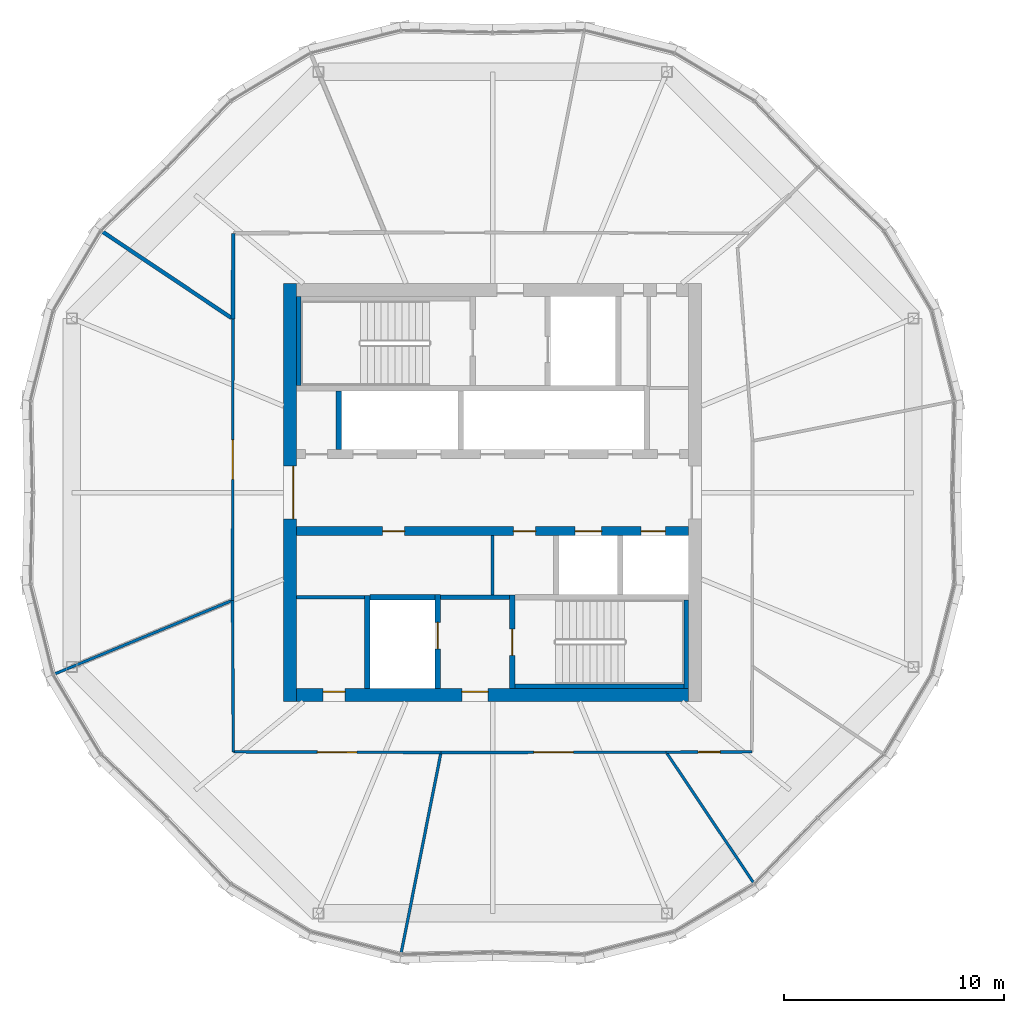
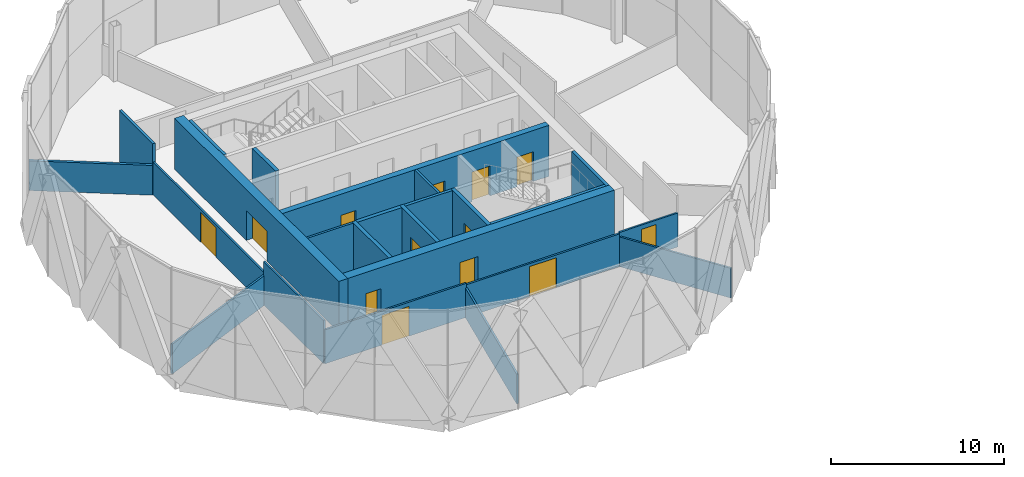
# One storey, part 18 of 26: 24 walls, 13 doors, 13 openings.
"""IFC4 building model written with IfcOpenShell, lengths in metres."""

import ifcopenshell
import ifcopenshell.guid

model = None  # the IFC model being written
_history = None  # IfcOwnerHistory: only IFC2X3 demands one
_inside = {}  # id of a spatial element -> (the spatial element, [elements in it])
_under = {}  # id of a project, library or spatial element -> (it, [spatial elements below it])
_declared = {}  # id of a project -> (the project, [libraries it declares])
_typed = {}  # id of a type object -> (the type object, [elements of that type])
_made_of = {}  # id of a material, layer set ... -> (it, [elements and type objects made of it])


def new_model(schema):
    """Start an empty IFC model of exactly this schema.

    Asked for "IFC4X3", IfcOpenShell would pick the latest addendum, in which some entities
    have other attributes; the version numbers below select the first issue.
    IFC2X3 requires an IfcOwnerHistory on every rooted entity: one is made here for all.
    """
    global model, _history
    if schema == "IFC4X3":
        model = ifcopenshell.file(schema_version=(4, 3, 0, 0))
    else:
        model = ifcopenshell.file(schema=schema)
    _inside.clear()
    _under.clear()
    _declared.clear()
    _typed.clear()
    _made_of.clear()
    _history = None
    if model.schema == "IFC2X3":
        org = make("IfcOrganization", Name="unknown")
        user = make(
            "IfcPersonAndOrganization",
            ThePerson=make("IfcPerson", FamilyName="unknown"),
            TheOrganization=org,
        )
        app = make(
            "IfcApplication",
            ApplicationDeveloper=org,
            Version="unknown",
            ApplicationFullName="unknown",
            ApplicationIdentifier="unknown",
        )
        _history = make(
            "IfcOwnerHistory",
            OwningUser=user,
            OwningApplication=app,
            ChangeAction="ADDED",
            CreationDate=0,
        )
    return model


def make(cls, **values):
    """One entity of the class cls with the attributes given. An attribute that is None is left unset."""
    return model.create_entity(
        cls, **{name: value for name, value in values.items() if value is not None}
    )


def rooted(cls, **values):
    """An entity with a GlobalId (a new one), such as an element, a storey or a relation."""
    return make(cls, GlobalId=ifcopenshell.guid.new(), OwnerHistory=_history, **values)


def si_unit(unit_type, name, prefix=None):
    """IfcSIUnit, for example si_unit("LENGTHUNIT", "METRE", prefix="MILLI")."""
    return make("IfcSIUnit", UnitType=unit_type, Prefix=prefix, Name=name)


def assignment(units):
    """IfcUnitAssignment: the units of a project."""
    return None if units is None else make("IfcUnitAssignment", Units=units)


def point(xyz):
    """IfcCartesianPoint."""
    return None if xyz is None else make("IfcCartesianPoint", Coordinates=xyz)


def direction(xyz):
    """IfcDirection."""
    return None if xyz is None else make("IfcDirection", DirectionRatios=xyz)


def frame(location, z_axis=None, x_axis=None):
    """IfcAxis2Placement3D, a coordinate frame: its origin and axes. An axis left out is left unset."""
    return make(
        "IfcAxis2Placement3D",
        Location=point(location),
        Axis=direction(z_axis),
        RefDirection=direction(x_axis),
    )


def frame_2d(location, x_axis=None):
    """IfcAxis2Placement2D, a coordinate frame in the plane: its origin and x axis."""
    return make(
        "IfcAxis2Placement2D", Location=point(location), RefDirection=direction(x_axis)
    )


def origin():
    """The frame at (0, 0, 0) with its axes left unset."""
    return frame((0.0, 0.0, 0.0))


def place(relative_to, where):
    """IfcLocalPlacement: puts the frame where relative to a parent placement (None: the world)."""
    return make(
        "IfcLocalPlacement", PlacementRelTo=relative_to, RelativePlacement=where
    )


def context(
    kind, dimensions, precision=None, world=None, true_north=None, identifier=None
):
    """IfcGeometricRepresentationContext, for example the 3D "Model" context."""
    return make(
        "IfcGeometricRepresentationContext",
        ContextIdentifier=identifier,
        ContextType=kind,
        CoordinateSpaceDimension=dimensions,
        Precision=precision,
        WorldCoordinateSystem=world,
        TrueNorth=true_north,
    )


def subcontext(parent, identifier, kind, view, scale=None):
    """IfcGeometricRepresentationSubContext, for example "Body" below "Model"."""
    return make(
        "IfcGeometricRepresentationSubContext",
        ContextIdentifier=identifier,
        ContextType=kind,
        ParentContext=parent,
        TargetScale=scale,
        TargetView=view,
    )


def project(units=None, contexts=None):
    """IfcProject with its units and contexts."""
    return rooted(
        "IfcProject",
        Name="project",
        RepresentationContexts=contexts,
        UnitsInContext=assignment(units),
    )


def spatial(cls, under=None, at=None, **own):
    """A site, building, storey or space (cls), placed at a placement, below another one or the project."""
    s = rooted(cls, ObjectPlacement=at, **own)
    if under is not None:
        _under.setdefault(under.id(), (under, []))[1].append(s)
    return s


def profile(cls, at=None, kind="AREA", **sizes):
    """A parametric profile (cls). Its sizes go by their IFC names, for example OverallWidth=200.0."""
    return make(cls, ProfileType=kind, Position=at, **sizes)


def rectangle(**sizes):
    """IfcRectangleProfileDef."""
    return profile("IfcRectangleProfileDef", **sizes)


def extrude(swept, where, along, depth):
    """IfcExtrudedAreaSolid: the profile swept, set in the frame where, extruded along a direction by depth."""
    return make(
        "IfcExtrudedAreaSolid",
        SweptArea=swept,
        Position=where,
        ExtrudedDirection=direction(along),
        Depth=depth,
    )


def shape(context_of_items, identifier, shape_type, items):
    """IfcShapeRepresentation: the items that make up one representation, for example the "Body"."""
    return make(
        "IfcShapeRepresentation",
        ContextOfItems=context_of_items,
        RepresentationIdentifier=identifier,
        RepresentationType=shape_type,
        Items=items,
    )


def material(Name=None, Category=None):
    """IfcMaterial."""
    return make("IfcMaterial", Name=Name, Category=Category)


def layer(
    of_material, thickness, ventilated=None, Name=None, Category=None, Priority=None
):
    """IfcMaterialLayer: one layer of a wall or slab, of a material (None: an air gap)."""
    return make(
        "IfcMaterialLayer",
        Material=of_material,
        LayerThickness=thickness,
        IsVentilated=ventilated,
        Name=Name,
        Category=Category,
        Priority=Priority,
    )


def layer_set(layers, Name=None):
    """IfcMaterialLayerSet."""
    return make("IfcMaterialLayerSet", MaterialLayers=layers, LayerSetName=Name)


def made_of(thing, what):
    """Note that an element or type object is made of a material, layer set ...; save() writes the relation."""
    if what is not None:
        _made_of.setdefault(what.id(), (what, []))[1].append(thing)
    return thing


def type_object(cls, material=None, **own):
    """A type object (cls), such as IfcWallType, which elements share."""
    return made_of(rooted(cls, **own), material)


def element(
    cls,
    number,
    at=None,
    inside=None,
    cuts=None,
    type_object=None,
    material=None,
    context=None,
    identifier="Body",
    shape_type=None,
    held_by="IfcProductDefinitionShape",
    body=None,
    shapes=None,
    **own,
):
    """One element of the class cls, such as IfcWall. Its Tag is "e" and its number.

    at: its placement. inside: the storey or other place that contains it. cuts: it is an
    opening in that element (IfcRelVoidsElement). A single representation is given by context,
    identifier, shape_type and body (its items); several are given by shapes. held_by: the class
    of the entity that holds the representations. save() writes the other relations.
    """
    e = rooted(cls, Tag="e%d" % number, ObjectPlacement=at, **own)
    if body is not None:
        shapes = [shape(context, identifier, shape_type, body)]
    if shapes is not None:
        e.Representation = make(held_by, Representations=shapes)
    if inside is not None:
        _inside.setdefault(inside.id(), (inside, []))[1].append(e)
    if cuts is not None:
        rooted(
            "IfcRelVoidsElement", RelatingBuildingElement=cuts, RelatedOpeningElement=e
        )
    if type_object is not None:
        _typed.setdefault(type_object.id(), (type_object, []))[1].append(e)
    return made_of(e, material)


def fill(opening, filler):
    """IfcRelFillsElement: the door or window that sits in an opening."""
    return rooted(
        "IfcRelFillsElement",
        RelatingOpeningElement=opening,
        RelatedBuildingElement=filler,
    )


def aggregate(whole, parts):
    """IfcRelAggregates: a whole, such as a stair, and the parts it consists of."""
    return rooted("IfcRelAggregates", RelatingObject=whole, RelatedObjects=parts)


def save(model, path):
    """Write the relations noted so far, then the file.

    IfcRelAggregates (storeys below a building ...), IfcRelContainedInSpatialStructure (elements
    in a storey), IfcRelDefinesByType, IfcRelAssociatesMaterial and IfcRelDeclares: one each for
    every whole, place, type object, material and project.
    """
    for whole, parts in _under.values():
        aggregate(whole, parts)
    for where, things in _inside.values():
        rooted(
            "IfcRelContainedInSpatialStructure",
            RelatedElements=things,
            RelatingStructure=where,
        )
    for kind, things in _typed.values():
        rooted("IfcRelDefinesByType", RelatedObjects=things, RelatingType=kind)
    for what, things in _made_of.values():
        rooted("IfcRelAssociatesMaterial", RelatedObjects=things, RelatingMaterial=what)
    for by, libraries in _declared.values():
        rooted("IfcRelDeclares", RelatingContext=by, RelatedDefinitions=libraries)
    model.write(path)


model = new_model("IFC4")

# Units and contexts
model_context = context("Model", 3, precision=1e-05, world=origin(), true_north=direction((0.0, 1.0)))
body_context = subcontext(model_context, "Body", "Model", "MODEL_VIEW")
ifc_project = project(units=[si_unit("LENGTHUNIT", "METRE"), si_unit("AREAUNIT", "SQUARE_METRE"), si_unit("VOLUMEUNIT", "CUBIC_METRE"), si_unit("PLANEANGLEUNIT", "RADIAN"), si_unit("MASSUNIT", "GRAM", prefix="KILO")], contexts=[model_context])

# Site, building, storey
site_placement = place(None, origin())
site = spatial("IfcSite", under=ifc_project, at=site_placement, CompositionType="ELEMENT")
building_placement = place(site_placement, origin())
building = spatial("IfcBuilding", under=site, at=building_placement, Name="Ogive Gate Towers", CompositionType="ELEMENT")
storey_placement = place(building_placement, frame((0.0, 0.0, 208.5)))
storey = spatial("IfcBuildingStorey", under=building, at=storey_placement, Name="L50", CompositionType="ELEMENT", Elevation=208.5)

# Walls
ifc_material_1 = material(Name="Gypsum board acoustic partition")
ifc_layer_1 = layer(ifc_material_1, 0.175048828125)
ifc_layer_set_1 = layer_set([ifc_layer_1], Name="Acoustic partition 175")
wall_type_1 = type_object("IfcWallType", Name="Acoustic partition 175", PredefinedType="PARTITIONING", material=ifc_layer_set_1)
wall_1_placement = place(storey_placement, frame((-53.81103515625, 11.9111328125, 0.0), z_axis=(0.0, 0.0, 1.0), x_axis=(0.831240288345, -0.555913287332, 0.0)))
element("IfcWall", 1, at=wall_1_placement, inside=storey, type_object=wall_type_1, Name="Partition T1-L50-005", PredefinedType="PARTITIONING", context=body_context, shape_type="SweptSolid", body=[
    extrude(rectangle(XDim=7.14892578125, YDim=0.175048828125, at=frame_2d((3.574462890625, 0.0))), origin(), (0.0, 0.0, 1.0), 2.10009765625),
])
wall_2_placement = place(storey_placement, frame((-47.780029296875, 11.780029296875, 0.0), z_axis=(0.0, 0.0, 1.0), x_axis=(-0.004077757816, -0.999991685911, 0.0)))
element("IfcWall", 2, at=wall_2_placement, inside=storey, type_object=wall_type_1, Name="Partition T1-L50-015", PredefinedType="PARTITIONING", context=body_context, shape_type="SweptSolid", body=[
    extrude(rectangle(XDim=3.8916015625, YDim=0.175048828125, at=frame_2d((1.94580078125, 0.0))), origin(), (0.0, 0.0, 1.0), 3.60009765625),
])
ifc_material_2 = material(Name="Masonry blockwork", Category="masonry")
ifc_layer_2 = layer(ifc_material_2, 0.199951171875)
ifc_layer_set_2 = layer_set([ifc_layer_2], Name="Blockwork wall 200 mm")
wall_type_2 = type_object("IfcWallType", Name="Blockwork wall 200 mm", PredefinedType="PARTITIONING", material=ifc_layer_set_2)
wall_3_placement = place(storey_placement, frame((-38.375, -4.75, 0.0), z_axis=(0.0, 0.0, 1.0), x_axis=(1.0, 0.0, 0.0)))
element("IfcWall", 3, at=wall_3_placement, inside=storey, type_object=wall_type_2, Name="T1 L50 Blockwork wall 200 mm", PredefinedType="PARTITIONING", context=body_context, shape_type="SweptSolid", body=[
    extrude(rectangle(XDim=3.14990234375, YDim=0.199951171875, at=frame_2d((1.574951171875, 0.0))), origin(), (0.0, 0.0, 1.0), 3.60009765625),
])

# Wall, openings, doors
ifc_material_3 = material(Name="Concrete C60/75", Category="concrete")
ifc_layer_3 = layer(ifc_material_3, 0.60009765625)
ifc_layer_set_3 = layer_set([ifc_layer_3], Name="Core wall 600 mm")
wall_type_3 = type_object("IfcWallType", Name="Core wall 600 mm", PredefinedType="SHEAR", material=ifc_layer_set_3)
wall_4_placement = place(storey_placement, frame((-44.89990234375, -9.199951171875, 0.0), z_axis=(0.0, 0.0, 1.0), x_axis=(1.0, 0.0, 0.0)))
wall_4 = element("IfcWall", 4, at=wall_4_placement, inside=storey, type_object=wall_type_3, Name="T1 L50 Core wall 600 mm", PredefinedType="SHEAR", context=body_context, shape_type="SweptSolid", body=[
    extrude(rectangle(XDim=17.7998046875, YDim=0.60009765625, at=frame_2d((8.89990234375, 0.0))), origin(), (0.0, 0.0, 1.0), 3.60009765625),
])
opening_1_placement = place(wall_4_placement, frame((7.5, 0.0, 0.0)))
opening_1 = element("IfcOpeningElement", 5, at=opening_1_placement, cuts=wall_4, Name="Opening KD-T1-L50-19", PredefinedType="OPENING", context=body_context, shape_type="SweptSolid", body=[
    extrude(rectangle(XDim=1.199951171875, YDim=2.10009765625, at=frame_2d((0.60009765625, 1.050048828125))), frame((0.0, 0.31005859375, 0.0), z_axis=(0.0, -1.0, 0.0), x_axis=(1.0, 0.0, 0.0)), (0.0, 0.0, 1.0), 0.6201171875),
])
opening_2_placement = place(wall_4_placement, frame((1.199951171875, 0.0, 0.0)))
opening_2 = element("IfcOpeningElement", 6, at=opening_2_placement, cuts=wall_4, Name="Opening KD-T1-L50-22", PredefinedType="OPENING", context=body_context, shape_type="SweptSolid", body=[
    extrude(rectangle(XDim=1.0, YDim=2.10009765625, at=frame_2d((0.5, 1.050048828125))), frame((0.0, 0.31005859375, 0.0), z_axis=(0.0, -1.0, 0.0), x_axis=(1.0, 0.0, 0.0)), (0.0, 0.0, 1.0), 0.6201171875),
])
ifc_material_4 = material(Name="Timber door", Category="wood")
door_type_1 = type_object("IfcDoorType", Name="Accessible WC door 1000 x 2100", OperationType="NOTDEFINED", PredefinedType="DOOR", material=ifc_material_4)
door_1_placement = place(opening_2_placement, origin())
door_1 = element("IfcDoor", 7, at=door_1_placement, inside=storey, type_object=door_type_1, Name="T1 L50 Core door", OperationType="SINGLE_SWING_LEFT", OverallHeight=2.10009765625, OverallWidth=1.0, PredefinedType="DOOR", context=body_context, shape_type="SweptSolid", body=[
    extrude(rectangle(XDim=1.0, YDim=2.10009765625, at=frame_2d((0.5, 1.050048828125))), frame((0.0, 0.1748046875, 0.0), z_axis=(0.0, -1.0, 0.0), x_axis=(1.0, 0.0, 0.0)), (0.0, 0.0, 1.0), 0.050048828125),
])
fill(opening_2, door_1)
ifc_material_5 = material(Name="Steel fire door", Category="steel")
door_type_2 = type_object("IfcDoorType", Name="Core door FD60S 1200 x 2100", OperationType="NOTDEFINED", PredefinedType="DOOR", material=ifc_material_5)
door_2_placement = place(opening_1_placement, origin())
door_2 = element("IfcDoor", 8, at=door_2_placement, inside=storey, type_object=door_type_2, Name="T1 L50 Fire-fighting lobby door", OperationType="SINGLE_SWING_RIGHT", OverallHeight=2.10009765625, OverallWidth=1.199951171875, PredefinedType="DOOR", context=body_context, shape_type="SweptSolid", body=[
    extrude(rectangle(XDim=1.199951171875, YDim=2.10009765625, at=frame_2d((0.60009765625, 1.050048828125))), frame((0.0, 0.1748046875, 0.0), z_axis=(0.0, -1.0, 0.0), x_axis=(1.0, 0.0, 0.0)), (0.0, 0.0, 1.0), 0.050048828125),
])
fill(opening_1, door_2)

# Wall, opening, door
wall_5_placement = place(storey_placement, frame((-45.199951171875, -9.5, 0.0), z_axis=(0.0, 0.0, 1.0), x_axis=(0.0, 1.0, 0.0)))
wall_5 = element("IfcWall", 9, at=wall_5_placement, inside=storey, type_object=wall_type_3, Name="T1 L50 Core wall 600 mm", PredefinedType="SHEAR", context=body_context, shape_type="SweptSolid", body=[
    extrude(rectangle(XDim=19.0, YDim=0.60009765625, at=frame_2d((9.5, 0.0))), origin(), (0.0, 0.0, 1.0), 3.60009765625),
])
opening_3_placement = place(wall_5_placement, frame((8.300048828125, 0.0, 0.0)))
opening_3 = element("IfcOpeningElement", 10, at=opening_3_placement, cuts=wall_5, Name="Opening KD-T1-L50-01", PredefinedType="OPENING", context=body_context, shape_type="SweptSolid", body=[
    extrude(rectangle(XDim=2.39990234375, YDim=2.10009765625, at=frame_2d((1.199951171875, 1.050048828125))), frame((0.0, 0.31005859375, 0.0), z_axis=(0.0, -1.0, 0.0), x_axis=(1.0, 0.0, 0.0)), (0.0, 0.0, 1.0), 0.6201171875),
])
door_type_3 = type_object("IfcDoorType", Name="Core double door FD60S 2400 x 2100", OperationType="DOUBLE_DOOR_SINGLE_SWING", PredefinedType="DOOR", material=ifc_material_5)
door_3_placement = place(opening_3_placement, origin())
door_3 = element("IfcDoor", 11, at=door_3_placement, inside=storey, type_object=door_type_3, Name="T1 L50 Core door double", OperationType="DOUBLE_DOOR_SINGLE_SWING", OverallHeight=2.10009765625, OverallWidth=2.39990234375, PredefinedType="DOOR", context=body_context, shape_type="SweptSolid", body=[
    extrude(rectangle(XDim=2.39990234375, YDim=2.10009765625, at=frame_2d((1.199951171875, 1.050048828125))), frame((0.0, -0.125, 0.0), z_axis=(0.0, -1.0, 0.0), x_axis=(1.0, 0.0, 0.0)), (0.0, 0.0, 1.0), 0.050048828125),
])
fill(opening_3, door_3)

# Walls
ifc_material_6 = material(Name="Gypsum board partition")
ifc_layer_4 = layer(ifc_material_6, 0.125)
ifc_layer_set_4 = layer_set([ifc_layer_4], Name="Partition 125")
wall_type_4 = type_object("IfcWallType", Name="Partition 125", PredefinedType="PARTITIONING", material=ifc_layer_set_4)
wall_6_placement = place(storey_placement, frame((-55.949462890625, -8.263427734375, 0.0), z_axis=(0.0, 0.0, 1.0), x_axis=(0.923878257775, 0.382686509835, 0.0)))
element("IfcWall", 12, at=wall_6_placement, inside=storey, type_object=wall_type_4, Name="Partition T1-L50-006", PredefinedType="PARTITIONING", context=body_context, shape_type="SweptSolid", body=[
    extrude(rectangle(XDim=8.739501953125, YDim=0.125, at=frame_2d((4.36962890625, 0.0))), origin(), (0.0, 0.0, 1.0), 2.10009765625),
])
wall_7_placement = place(storey_placement, frame((-40.147216796875, -20.891845703125, 0.0), z_axis=(0.0, 0.0, 1.0), x_axis=(0.194722219727, 0.980858428696, 0.0)))
element("IfcWall", 13, at=wall_7_placement, inside=storey, type_object=wall_type_4, Name="Partition T1-L50-007", PredefinedType="PARTITIONING", context=body_context, shape_type="SweptSolid", body=[
    extrude(rectangle(XDim=9.196533203125, YDim=0.125, at=frame_2d((4.59814453125, 0.0))), origin(), (0.0, 0.0, 1.0), 2.10009765625),
])
wall_8_placement = place(storey_placement, frame((-24.0888671875, -17.81103515625, 0.0), z_axis=(0.0, 0.0, 1.0), x_axis=(-0.555916910213, 0.831237865439, 0.0)))
element("IfcWall", 14, at=wall_8_placement, inside=storey, type_object=wall_type_4, Name="Partition T1-L50-008", PredefinedType="PARTITIONING", context=body_context, shape_type="SweptSolid", body=[
    extrude(rectangle(XDim=7.173828125, YDim=0.125, at=frame_2d((3.5869140625, 0.0))), origin(), (0.0, 0.0, 1.0), 2.10009765625),
])

# Wall, opening, door
wall_9_placement = place(storey_placement, frame((-47.7958984375, 7.888427734375, 0.0), z_axis=(0.0, 0.0, 1.0), x_axis=(-0.001680637798, -0.999998587727, 0.0)))
wall_9 = element("IfcWall", 15, at=wall_9_placement, inside=storey, type_object=wall_type_4, Name="Partition T1-L50-016", PredefinedType="PARTITIONING", context=body_context, shape_type="SweptSolid", body=[
    extrude(rectangle(XDim=12.783447265625, YDim=0.125, at=frame_2d((6.3916015625, 0.0))), origin(), (0.0, 0.0, 1.0), 2.300048828125),
])
opening_4_placement = place(wall_9_placement, frame((5.491943359375, 0.0, 0.0)))
opening_4 = element("IfcOpeningElement", 16, at=opening_4_placement, cuts=wall_9, Name="Opening T1-L50-D06", PredefinedType="OPENING", context=body_context, shape_type="SweptSolid", body=[
    extrude(rectangle(XDim=1.800048828125, YDim=2.10009765625, at=frame_2d((0.89990234375, 1.050048828125))), frame((0.0, 0.072509765625, 0.0), z_axis=(0.0, -1.0, 0.0), x_axis=(1.0, 0.0, 0.0)), (0.0, 0.0, 1.0), 0.14501953125),
])
door_type_4 = type_object("IfcDoorType", Name="Door pair 1800", OperationType="NOTDEFINED", PredefinedType="DOOR", material=ifc_material_4)
door_4_placement = place(opening_4_placement, origin())
door_4 = element("IfcDoor", 17, at=door_4_placement, inside=storey, type_object=door_type_4, Name="Door T1-L50-D06", OperationType="DOUBLE_DOOR_DOUBLE_SWING", OverallHeight=2.10009765625, OverallWidth=1.800048828125, PredefinedType="DOOR", context=body_context, shape_type="SweptSolid", body=[
    extrude(rectangle(XDim=1.800048828125, YDim=2.10009765625, at=frame_2d((0.89990234375, 1.050048828125))), frame((0.0, 0.02490234375, 0.0), z_axis=(0.0, -1.0, 0.0), x_axis=(1.0, 0.0, 0.0)), (0.0, 0.0, 1.0), 0.050048828125),
])
fill(opening_4, door_4)

wall_10_placement = place(storey_placement, frame((-47.780029296875, -11.780029296875, 0.0), z_axis=(0.0, 0.0, 1.0), x_axis=(0.99999493566, -0.003182554779, 0.0)))
wall_10 = element("IfcWall", 18, at=wall_10_placement, inside=storey, type_object=wall_type_4, Name="Partition T1-L50-017", PredefinedType="PARTITIONING", context=body_context, shape_type="SweptSolid", body=[
    extrude(rectangle(XDim=9.435546875, YDim=0.125, at=frame_2d((4.7177734375, 0.0))), origin(), (0.0, 0.0, 1.0), 2.39990234375),
])
opening_5_placement = place(wall_10_placement, frame((3.818115234375, 0.0, 0.0)))
opening_5 = element("IfcOpeningElement", 19, at=opening_5_placement, cuts=wall_10, Name="Opening T1-L50-D07", PredefinedType="OPENING", context=body_context, shape_type="SweptSolid", body=[
    extrude(rectangle(XDim=1.800048828125, YDim=2.10009765625, at=frame_2d((0.89990234375, 1.050048828125))), frame((0.0, 0.072509765625, 0.0), z_axis=(0.0, -1.0, 0.0), x_axis=(1.0, 0.0, 0.0)), (0.0, 0.0, 1.0), 0.14501953125),
])
door_5_placement = place(opening_5_placement, origin())
door_5 = element("IfcDoor", 20, at=door_5_placement, inside=storey, type_object=door_type_4, Name="Door T1-L50-D07", OperationType="DOUBLE_DOOR_DOUBLE_SWING", OverallHeight=2.10009765625, OverallWidth=1.800048828125, PredefinedType="DOOR", context=body_context, shape_type="SweptSolid", body=[
    extrude(rectangle(XDim=1.800048828125, YDim=2.10009765625, at=frame_2d((0.89990234375, 1.050048828125))), frame((0.0, 0.02490234375, 0.0), z_axis=(0.0, -1.0, 0.0), x_axis=(1.0, 0.0, 0.0)), (0.0, 0.0, 1.0), 0.050048828125),
])
fill(opening_5, door_5)

# Wall
wall_11_placement = place(storey_placement, frame((-47.8173828125, -4.89501953125, 0.0), z_axis=(0.0, 0.0, 1.0), x_axis=(0.005425259683, -0.99998528317, 0.0)))
element("IfcWall", 21, at=wall_11_placement, inside=storey, type_object=wall_type_4, Name="Partition T1-L50-018", PredefinedType="PARTITIONING", context=body_context, shape_type="SweptSolid", body=[
    extrude(rectangle(XDim=6.885009765625, YDim=0.125, at=frame_2d((3.4423828125, 0.0))), origin(), (0.0, 0.0, 1.0), 3.050048828125),
])

# Wall, opening, door
wall_12_placement = place(storey_placement, frame((-38.344482421875, -11.81005859375, 0.0), z_axis=(0.0, 0.0, 1.0), x_axis=(0.99999904257, 0.001383784522, 0.0)))
wall_12 = element("IfcWall", 22, at=wall_12_placement, inside=storey, type_object=wall_type_4, Name="Partition T1-L50-019", PredefinedType="PARTITIONING", context=body_context, shape_type="SweptSolid", body=[
    extrude(rectangle(XDim=10.23291015625, YDim=0.125, at=frame_2d((5.116455078125, 0.0))), origin(), (0.0, 0.0, 1.0), 2.300048828125),
])
opening_6_placement = place(wall_12_placement, frame((4.216064453125, 0.0, 0.0)))
opening_6 = element("IfcOpeningElement", 23, at=opening_6_placement, cuts=wall_12, Name="Opening T1-L50-D08", PredefinedType="OPENING", context=body_context, shape_type="SweptSolid", body=[
    extrude(rectangle(XDim=1.800048828125, YDim=2.10009765625, at=frame_2d((0.89990234375, 1.050048828125))), frame((0.0, 0.072509765625, 0.0), z_axis=(0.0, -1.0, 0.0), x_axis=(1.0, 0.0, 0.0)), (0.0, 0.0, 1.0), 0.14501953125),
])
door_6_placement = place(opening_6_placement, origin())
door_6 = element("IfcDoor", 24, at=door_6_placement, inside=storey, type_object=door_type_4, Name="Door T1-L50-D08", OperationType="DOUBLE_DOOR_DOUBLE_SWING", OverallHeight=2.10009765625, OverallWidth=1.800048828125, PredefinedType="DOOR", context=body_context, shape_type="SweptSolid", body=[
    extrude(rectangle(XDim=1.800048828125, YDim=2.10009765625, at=frame_2d((0.89990234375, 1.050048828125))), frame((0.0, 0.02490234375, 0.0), z_axis=(0.0, -1.0, 0.0), x_axis=(1.0, 0.0, 0.0)), (0.0, 0.0, 1.0), 0.050048828125),
])
fill(opening_6, door_6)

wall_13_placement = place(storey_placement, frame((-28.111572265625, -11.7958984375, 0.0), z_axis=(0.0, 0.0, 1.0), x_axis=(0.999991685911, 0.004077757816, 0.0)))
wall_13 = element("IfcWall", 25, at=wall_13_placement, inside=storey, type_object=wall_type_4, Name="Partition T1-L50-020", PredefinedType="PARTITIONING", context=body_context, shape_type="SweptSolid", body=[
    extrude(rectangle(XDim=3.8916015625, YDim=0.125, at=frame_2d((1.94580078125, 0.0))), origin(), (0.0, 0.0, 1.0), 2.39990234375),
])
opening_7_placement = place(wall_13_placement, frame((1.446044921875, 0.0, 0.0)))
opening_7 = element("IfcOpeningElement", 26, at=opening_7_placement, cuts=wall_13, Name="Opening T1-L50-D09", PredefinedType="OPENING", context=body_context, shape_type="SweptSolid", body=[
    extrude(rectangle(XDim=1.0, YDim=2.10009765625, at=frame_2d((0.5, 1.050048828125))), frame((0.0, 0.072509765625, 0.0), z_axis=(0.0, -1.0, 0.0), x_axis=(1.0, 0.0, 0.0)), (0.0, 0.0, 1.0), 0.14501953125),
])
door_type_5 = type_object("IfcDoorType", Name="Door 1000", OperationType="NOTDEFINED", PredefinedType="DOOR", material=ifc_material_4)
door_7_placement = place(opening_7_placement, origin())
door_7 = element("IfcDoor", 27, at=door_7_placement, inside=storey, type_object=door_type_5, Name="Door T1-L50-D09", OperationType="SINGLE_SWING_LEFT", OverallHeight=2.10009765625, OverallWidth=1.0, PredefinedType="DOOR", context=body_context, shape_type="SweptSolid", body=[
    extrude(rectangle(XDim=1.0, YDim=2.10009765625, at=frame_2d((0.5, 1.050048828125))), frame((0.0, 0.02490234375, 0.0), z_axis=(0.0, -1.0, 0.0), x_axis=(1.0, 0.0, 0.0)), (0.0, 0.0, 1.0), 0.050048828125),
])
fill(opening_7, door_7)

# Walls
ifc_layer_5 = layer(ifc_material_6, 0.14990234375)
ifc_layer_set_5 = layer_set([ifc_layer_5], Name="Room partition 150 mm")
wall_type_5 = type_object("IfcWallType", Name="Room partition 150 mm", PredefinedType="PARTITIONING", material=ifc_layer_set_5)
wall_14_placement = place(storey_placement, frame((-44.89990234375, -4.75, 0.0), z_axis=(0.0, 0.0, 1.0), x_axis=(1.0, 0.0, 0.0)))
element("IfcWall", 28, at=wall_14_placement, inside=storey, type_object=wall_type_5, Name="T1 L50 Room partition 150 mm", PredefinedType="PARTITIONING", context=body_context, shape_type="SweptSolid", body=[
    extrude(rectangle(XDim=3.074951171875, YDim=0.14990234375, at=frame_2d((1.53759765625, 0.0))), origin(), (0.0, 0.0, 1.0), 3.60009765625),
])
wall_15_placement = place(storey_placement, frame((-36.0, -4.64990234375, 0.0), z_axis=(0.0, 0.0, 1.0), x_axis=(0.0, 1.0, 0.0)))
element("IfcWall", 29, at=wall_15_placement, inside=storey, type_object=wall_type_5, Name="T1 L50 Room partition 150 mm", PredefinedType="PARTITIONING", context=body_context, shape_type="SweptSolid", body=[
    extrude(rectangle(XDim=2.699951171875, YDim=0.14990234375, at=frame_2d((1.35009765625, 0.0))), origin(), (0.0, 0.0, 1.0), 3.60009765625),
])
ifc_layer_6 = layer(ifc_material_3, 0.25)
ifc_layer_set_6 = layer_set([ifc_layer_6], Name="Shaft wall 250 mm")
wall_type_6 = type_object("IfcWallType", Name="Shaft wall 250 mm", PredefinedType="SHEAR", material=ifc_layer_set_6)
wall_16_placement = place(storey_placement, frame((-41.574951171875, -4.75, 0.0), z_axis=(0.0, 0.0, 1.0), x_axis=(1.0, 0.0, 0.0)))
element("IfcWall", 30, at=wall_16_placement, inside=storey, type_object=wall_type_6, Name="T1 L50 Shaft wall 250 mm", PredefinedType="SHEAR", context=body_context, shape_type="SweptSolid", body=[
    extrude(rectangle(XDim=2.949951171875, YDim=0.25, at=frame_2d((1.47509765625, 0.0))), origin(), (0.0, 0.0, 1.0), 3.60009765625),
])
wall_17_placement = place(storey_placement, frame((-43.0, 1.949951171875, 0.0), z_axis=(0.0, 0.0, 1.0), x_axis=(0.0, 1.0, 0.0)))
element("IfcWall", 31, at=wall_17_placement, inside=storey, type_object=wall_type_6, Name="T1 L50 Shaft wall 250 mm", PredefinedType="SHEAR", context=body_context, shape_type="SweptSolid", body=[
    extrude(rectangle(XDim=2.675048828125, YDim=0.25, at=frame_2d((1.33740234375, 0.0))), origin(), (0.0, 0.0, 1.0), 3.60009765625),
])
wall_18_placement = place(storey_placement, frame((-41.699951171875, -8.89990234375, 0.0), z_axis=(0.0, 0.0, 1.0), x_axis=(0.0, 1.0, 0.0)))
element("IfcWall", 32, at=wall_18_placement, inside=storey, type_object=wall_type_6, Name="T1 L50 Shaft wall 250 mm", PredefinedType="SHEAR", context=body_context, shape_type="SweptSolid", body=[
    extrude(rectangle(XDim=4.224853515625, YDim=0.25, at=frame_2d((2.1123046875, 0.0))), origin(), (0.0, 0.0, 1.0), 3.60009765625),
])

# Wall, opening, door
wall_19_placement = place(storey_placement, frame((-38.5, -8.89990234375, 0.0), z_axis=(0.0, 0.0, 1.0), x_axis=(0.0, 1.0, 0.0)))
wall_19 = element("IfcWall", 33, at=wall_19_placement, inside=storey, type_object=wall_type_6, Name="T1 L50 Shaft wall 250 mm", PredefinedType="SHEAR", context=body_context, shape_type="SweptSolid", body=[
    extrude(rectangle(XDim=4.27490234375, YDim=0.25, at=frame_2d((2.137451171875, 0.0))), origin(), (0.0, 0.0, 1.0), 3.60009765625),
])
opening_8_placement = place(wall_19_placement, frame((1.800048828125, 0.0, 0.0)))
opening_8 = element("IfcOpeningElement", 34, at=opening_8_placement, cuts=wall_19, Name="Opening LD-T1-L50-13", PredefinedType="OPENING", context=body_context, shape_type="SweptSolid", body=[
    extrude(rectangle(XDim=1.199951171875, YDim=2.10009765625, at=frame_2d((0.60009765625, 1.050048828125))), frame((0.0, 0.135009765625, 0.0), z_axis=(0.0, -1.0, 0.0), x_axis=(1.0, 0.0, 0.0)), (0.0, 0.0, 1.0), 0.27001953125),
])
ifc_material_7 = material(Name="Stainless steel landing door", Category="steel")
door_type_6 = type_object("IfcDoorType", Name="Landing door 1200 x 2100", OperationType="SLIDING_TO_LEFT", PredefinedType="DOOR", material=ifc_material_7)
door_8_placement = place(opening_8_placement, origin())
door_8 = element("IfcDoor", 35, at=door_8_placement, inside=storey, type_object=door_type_6, Name="T1 L50 Lift landing door FF2", OperationType="SLIDING_TO_LEFT", OverallHeight=2.10009765625, OverallWidth=1.199951171875, PredefinedType="DOOR", context=body_context, shape_type="SweptSolid", body=[
    extrude(rectangle(XDim=1.199951171875, YDim=2.10009765625, at=frame_2d((0.60009765625, 1.050048828125))), frame((0.0, 0.02490234375, 0.0), z_axis=(0.0, -1.0, 0.0), x_axis=(1.0, 0.0, 0.0)), (0.0, 0.0, 1.0), 0.050048828125),
])
fill(opening_8, door_8)

wall_20_placement = place(storey_placement, frame((-35.10009765625, -8.89990234375, 0.0), z_axis=(0.0, 0.0, 1.0), x_axis=(0.0, 1.0, 0.0)))
wall_20 = element("IfcWall", 36, at=wall_20_placement, inside=storey, type_object=wall_type_6, Name="T1 L50 Shaft wall 250 mm", PredefinedType="SHEAR", context=body_context, shape_type="SweptSolid", body=[
    extrude(rectangle(XDim=4.25, YDim=0.25, at=frame_2d((2.125, 0.0))), origin(), (0.0, 0.0, 1.0), 3.60009765625),
])
opening_9_placement = place(wall_20_placement, frame((1.5, 0.0, 0.0)))
opening_9 = element("IfcOpeningElement", 37, at=opening_9_placement, cuts=wall_20, Name="Opening KD-T1-L50-17", PredefinedType="OPENING", context=body_context, shape_type="SweptSolid", body=[
    extrude(rectangle(XDim=1.199951171875, YDim=2.10009765625, at=frame_2d((0.60009765625, 1.050048828125))), frame((0.0, 0.135009765625, 0.0), z_axis=(0.0, -1.0, 0.0), x_axis=(1.0, 0.0, 0.0)), (0.0, 0.0, 1.0), 0.27001953125),
])
door_9_placement = place(opening_9_placement, origin())
door_9 = element("IfcDoor", 38, at=door_9_placement, inside=storey, type_object=door_type_2, Name="T1 L50 Stair door", OperationType="SINGLE_SWING_RIGHT", OverallHeight=2.10009765625, OverallWidth=1.199951171875, PredefinedType="DOOR", context=body_context, shape_type="SweptSolid", body=[
    extrude(rectangle(XDim=1.199951171875, YDim=2.10009765625, at=frame_2d((0.60009765625, 1.050048828125))), frame((0.0, 0.02490234375, 0.0), z_axis=(0.0, -1.0, 0.0), x_axis=(1.0, 0.0, 0.0)), (0.0, 0.0, 1.0), 0.050048828125),
])
fill(opening_9, door_9)

# Wall, openings, doors
ifc_layer_7 = layer(ifc_material_3, 0.39990234375)
ifc_layer_set_7 = layer_set([ifc_layer_7], Name="Spine wall 400 mm")
wall_type_7 = type_object("IfcWallType", Name="Spine wall 400 mm", PredefinedType="SHEAR", material=ifc_layer_set_7)
wall_21_placement = place(storey_placement, frame((-44.89990234375, -1.75, 0.0), z_axis=(0.0, 0.0, 1.0), x_axis=(1.0, 0.0, 0.0)))
wall_21 = element("IfcWall", 39, at=wall_21_placement, inside=storey, type_object=wall_type_7, Name="T1 L50 Spine wall 400 mm", PredefinedType="SHEAR", context=body_context, shape_type="SweptSolid", body=[
    extrude(rectangle(XDim=17.7998046875, YDim=0.39990234375, at=frame_2d((8.89990234375, 0.0))), origin(), (0.0, 0.0, 1.0), 3.60009765625),
])
opening_10_placement = place(wall_21_placement, frame((12.64990234375, 0.0, 0.0)))
opening_10 = element("IfcOpeningElement", 40, at=opening_10_placement, cuts=wall_21, Name="Opening LD-T1-L50-10", PredefinedType="OPENING", context=body_context, shape_type="SweptSolid", body=[
    extrude(rectangle(XDim=1.199951171875, YDim=2.10009765625, at=frame_2d((0.60009765625, 1.050048828125))), frame((0.0, 0.2099609375, 0.0), z_axis=(0.0, -1.0, 0.0), x_axis=(1.0, 0.0, 0.0)), (0.0, 0.0, 1.0), 0.419921875),
])
opening_11_placement = place(wall_21_placement, frame((15.64990234375, 0.0, 0.0)))
opening_11 = element("IfcOpeningElement", 41, at=opening_11_placement, cuts=wall_21, Name="Opening LD-T1-L50-11", PredefinedType="OPENING", context=body_context, shape_type="SweptSolid", body=[
    extrude(rectangle(XDim=1.10009765625, YDim=2.10009765625, at=frame_2d((0.550048828125, 1.050048828125))), frame((0.0, 0.2099609375, 0.0), z_axis=(0.0, -1.0, 0.0), x_axis=(1.0, 0.0, 0.0)), (0.0, 0.0, 1.0), 0.419921875),
])
opening_12_placement = place(wall_21_placement, frame((3.89990234375, 0.0, 0.0)))
opening_12 = element("IfcOpeningElement", 42, at=opening_12_placement, cuts=wall_21, Name="Opening KD-T1-L50-14", PredefinedType="OPENING", context=body_context, shape_type="SweptSolid", body=[
    extrude(rectangle(XDim=1.0, YDim=2.10009765625, at=frame_2d((0.5, 1.050048828125))), frame((0.0, 0.2099609375, 0.0), z_axis=(0.0, -1.0, 0.0), x_axis=(1.0, 0.0, 0.0)), (0.0, 0.0, 1.0), 0.419921875),
])
opening_13_placement = place(wall_21_placement, frame((9.85009765625, 0.0, 0.0)))
opening_13 = element("IfcOpeningElement", 43, at=opening_13_placement, cuts=wall_21, Name="Opening KD-T1-L50-15", PredefinedType="OPENING", context=body_context, shape_type="SweptSolid", body=[
    extrude(rectangle(XDim=1.0, YDim=2.10009765625, at=frame_2d((0.5, 1.050048828125))), frame((0.0, 0.2099609375, 0.0), z_axis=(0.0, -1.0, 0.0), x_axis=(1.0, 0.0, 0.0)), (0.0, 0.0, 1.0), 0.419921875),
])
door_type_7 = type_object("IfcDoorType", Name="Core door FD60S 1000 x 2100", OperationType="NOTDEFINED", PredefinedType="DOOR", material=ifc_material_5)
door_10_placement = place(opening_12_placement, origin())
door_10 = element("IfcDoor", 44, at=door_10_placement, inside=storey, type_object=door_type_7, Name="T1 L50 Core door", OperationType="SINGLE_SWING_LEFT", OverallHeight=2.10009765625, OverallWidth=1.0, PredefinedType="DOOR", context=body_context, shape_type="SweptSolid", body=[
    extrude(rectangle(XDim=1.0, YDim=2.10009765625, at=frame_2d((0.5, 1.050048828125))), frame((0.0, 0.02490234375, 0.0), z_axis=(0.0, -1.0, 0.0), x_axis=(1.0, 0.0, 0.0)), (0.0, 0.0, 1.0), 0.050048828125),
])
fill(opening_12, door_10)
door_11_placement = place(opening_13_placement, origin())
door_11 = element("IfcDoor", 45, at=door_11_placement, inside=storey, type_object=door_type_7, Name="T1 L50 Core door", OperationType="SINGLE_SWING_RIGHT", OverallHeight=2.10009765625, OverallWidth=1.0, PredefinedType="DOOR", context=body_context, shape_type="SweptSolid", body=[
    extrude(rectangle(XDim=1.0, YDim=2.10009765625, at=frame_2d((0.5, 1.050048828125))), frame((0.0, 0.02490234375, 0.0), z_axis=(0.0, -1.0, 0.0), x_axis=(1.0, 0.0, 0.0)), (0.0, 0.0, 1.0), 0.050048828125),
])
fill(opening_13, door_11)
door_type_8 = type_object("IfcDoorType", Name="Landing door 1100 x 2100", OperationType="SLIDING_TO_LEFT", PredefinedType="DOOR", material=ifc_material_7)
door_12_placement = place(opening_11_placement, origin())
door_12 = element("IfcDoor", 46, at=door_12_placement, inside=storey, type_object=door_type_8, Name="T1 L50 Lift landing door B6", OperationType="SLIDING_TO_LEFT", OverallHeight=2.10009765625, OverallWidth=1.10009765625, PredefinedType="DOOR", context=body_context, shape_type="SweptSolid", body=[
    extrude(rectangle(XDim=1.10009765625, YDim=2.10009765625, at=frame_2d((0.550048828125, 1.050048828125))), frame((0.0, 0.02490234375, 0.0), z_axis=(0.0, -1.0, 0.0), x_axis=(1.0, 0.0, 0.0)), (0.0, 0.0, 1.0), 0.050048828125),
])
fill(opening_11, door_12)
door_13_placement = place(opening_10_placement, origin())
door_13 = element("IfcDoor", 47, at=door_13_placement, inside=storey, type_object=door_type_6, Name="T1 L50 Lift landing door SVC", OperationType="SLIDING_TO_LEFT", OverallHeight=2.10009765625, OverallWidth=1.199951171875, PredefinedType="DOOR", context=body_context, shape_type="SweptSolid", body=[
    extrude(rectangle(XDim=1.199951171875, YDim=2.10009765625, at=frame_2d((0.60009765625, 1.050048828125))), frame((0.0, 0.02490234375, 0.0), z_axis=(0.0, -1.0, 0.0), x_axis=(1.0, 0.0, 0.0)), (0.0, 0.0, 1.0), 0.050048828125),
])
fill(opening_10, door_13)

# Walls
ifc_layer_8 = layer(ifc_material_3, 0.199951171875)
ifc_layer_set_8 = layer_set([ifc_layer_8], Name="Stair wall 200 mm")
wall_type_8 = type_object("IfcWallType", Name="Stair wall 200 mm", PredefinedType="SHEAR", material=ifc_layer_set_8)
wall_22_placement = place(storey_placement, frame((-34.97509765625, -8.800048828125, 0.0), z_axis=(0.0, 0.0, 1.0), x_axis=(1.0, 0.0, 0.0)))
element("IfcWall", 48, at=wall_22_placement, inside=storey, type_object=wall_type_8, Name="T1 L50 Stair wall 200 mm", PredefinedType="SHEAR", context=body_context, shape_type="SweptSolid", body=[
    extrude(rectangle(XDim=7.675048828125, YDim=0.199951171875, at=frame_2d((3.83740234375, 0.0))), origin(), (0.0, 0.0, 1.0), 3.60009765625),
])
for number, where, z_axis, x_axis, name in (
    (49, (-44.800048828125, 4.875, 0.0), (0.0, 0.0, 1.0), (0.0, 1.0, 0.0), "T1 L50 Stair wall 200 mm"),
    (50, (-27.199951171875, -8.89990234375, 0.0), (0.0, 0.0, 1.0), (0.0, 1.0, 0.0), "T1 L50 Stair wall 200 mm"),
):
    element("IfcWall", number, at=place(storey_placement, frame(where, z_axis=z_axis, x_axis=x_axis)), inside=storey, type_object=wall_type_8, Name=name, PredefinedType="SHEAR", context=body_context, shape_type="SweptSolid", body=[
        extrude(rectangle(XDim=4.02490234375, YDim=0.199951171875, at=frame_2d((2.012451171875, 0.0))), origin(), (0.0, 0.0, 1.0), 3.60009765625),
    ])

save(model, "model.ifc")
